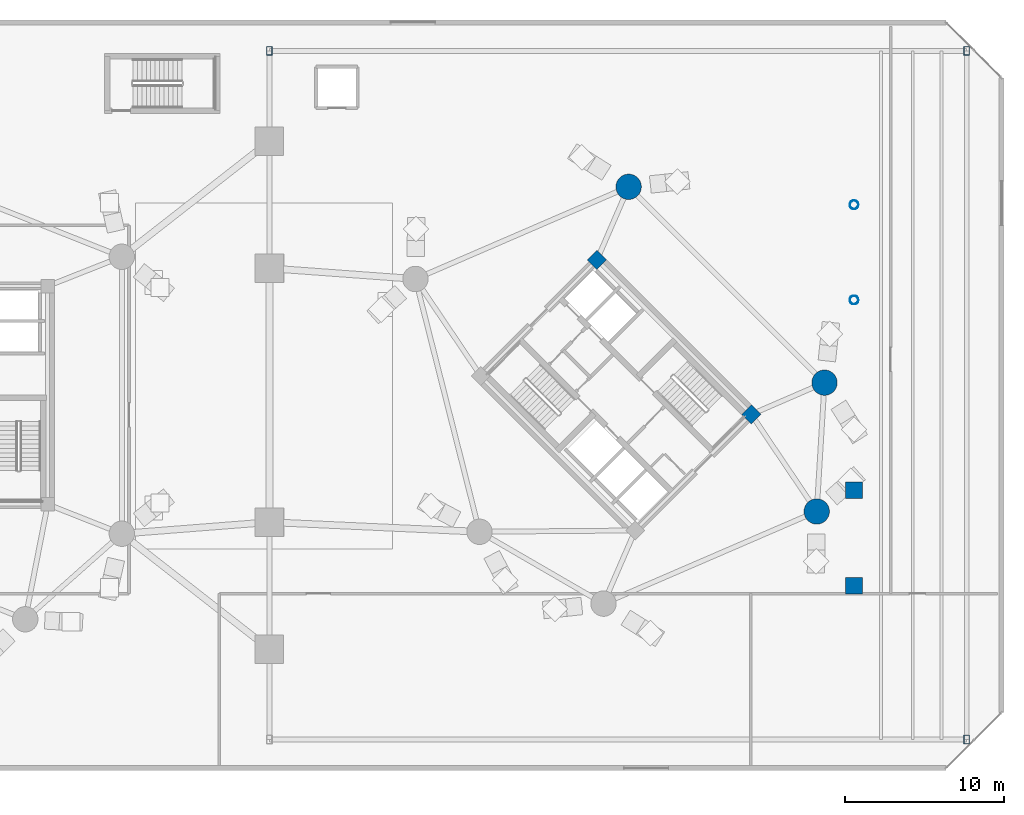
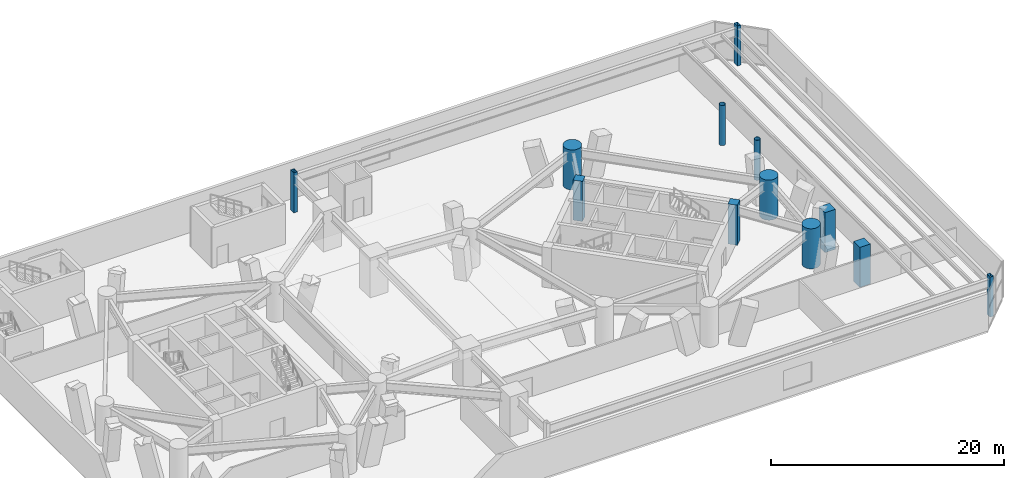
# One storey, part 2 of 20: 12 columns.
"""IFC4 building model written with IfcOpenShell, lengths in metres."""

from ifc_helpers import new_model, si_unit, direction, frame, origin, origin_2d, place, context, subcontext, project, spatial, rectangle, hollow_rectangle, circle, hollow_circle, extrude, material, material_profile, profile_set, type_object, element, save


model = new_model("IFC4")

# Units and contexts
model_context = context("Model", 3, precision=1e-05, world=origin(), true_north=direction((0.0, 1.0)))
body_context = subcontext(model_context, "Body", "Model", "MODEL_VIEW")
ifc_project = project(units=[si_unit("LENGTHUNIT", "METRE"), si_unit("AREAUNIT", "SQUARE_METRE"), si_unit("VOLUMEUNIT", "CUBIC_METRE"), si_unit("PLANEANGLEUNIT", "RADIAN"), si_unit("MASSUNIT", "GRAM", prefix="KILO")], contexts=[model_context])

# Site, building, storey
site_placement = place(None, origin())
site = spatial("IfcSite", under=ifc_project, at=site_placement, CompositionType="ELEMENT")
building_placement = place(site_placement, origin())
building = spatial("IfcBuilding", under=site, at=building_placement, Name="Cununo Teusaquillo Station Towers", CompositionType="ELEMENT")
storey_placement = place(building_placement, frame((0.0, 0.0, 9.0)))
storey = spatial("IfcBuildingStorey", under=building, at=storey_placement, Name="L02", CompositionType="ELEMENT", Elevation=9.0)

# Columns
ifc_material_1 = material(Name="Concrete C50/60", Category="concrete")
ifc_material_profile_1 = material_profile(ifc_material_1, rectangle(XDim=0.85009765625, YDim=0.85009765625, at=origin_2d()), Name="RC-RECT-850x850")
ifc_profile_set_1 = profile_set([ifc_material_profile_1], Name="Concrete C50/60")
column_type_1 = type_object("IfcColumnType", Name="COL-CORE-Z1", PredefinedType="COLUMN", material=ifc_profile_set_1)
for number, where, z_axis, x_axis, name in (
    (1, (66.024169921875, 23.29443359375, 0.0), (0.0, 0.0, 1.0), (0.707106781187, 0.707106781187, 0.0), "L02 Tower B Core Column 3"),
    (2, (56.29443359375, 33.024169921875, 0.0), (0.0, 0.0, 1.0), (0.707106781187, 0.707106781187, 0.0), "L02 Tower B Core Column 4"),
):
    element("IfcColumn", number, at=place(storey_placement, frame(where, z_axis=z_axis, x_axis=x_axis)), inside=storey, type_object=column_type_1, Name=name, PredefinedType="COLUMN", context=body_context, shape_type="SweptSolid", body=[
        extrude(rectangle(XDim=0.85009765625, YDim=0.85009765625, at=origin_2d()), origin(), (0.0, 0.0, 1.0), 4.199951171875),
    ])
ifc_material_2 = material(Name="Concrete C60/75", Category="concrete")
ifc_material_profile_2 = material_profile(ifc_material_2, circle(Radius=0.800048828125, at=origin_2d()), Name="RC-CIRC-1600")
ifc_profile_set_2 = profile_set([ifc_material_profile_2], Name="Concrete C60/75")
column_type_2 = type_object("IfcColumnType", Name="COL-MEGA-POD", PredefinedType="USERDEFINED", material=ifc_profile_set_2)
for number, where, z_axis, x_axis, name in (
    (3, (58.291015625, 37.63525390625, 0.0), (0.0, 0.0, 1.0), (1.0, 0.0, 0.0), "L02 Tower B Perimeter Column V02"),
    (4, (70.146240234375, 17.173095703125, 0.0), (0.0, 0.0, 1.0), (1.0, 0.0, 0.0), "L02 Tower B Perimeter Column V16"),
    (5, (70.63525390625, 25.291015625, 0.0), (0.0, 0.0, 1.0), (1.0, 0.0, 0.0), "L02 Tower B Perimeter Column V18"),
):
    element("IfcColumn", number, at=place(storey_placement, frame(where, z_axis=z_axis, x_axis=x_axis)), inside=storey, type_object=column_type_2, Name=name, ObjectType="MEGA COLUMN", PredefinedType="USERDEFINED", context=body_context, shape_type="SweptSolid", body=[
        extrude(circle(Radius=0.800048828125, at=origin_2d()), origin(), (0.0, 0.0, 1.0), 4.199951171875),
    ])
ifc_material_3 = material(Name="Steel ASTM A572 Grade 50", Category="steel")
ifc_material_profile_3 = material_profile(ifc_material_3, hollow_rectangle(XDim=0.35009765625, YDim=0.550048828125, WallThickness=0.02197265625, at=origin_2d()), Name="RHS 550x350x22")
ifc_profile_set_3 = profile_set([ifc_material_profile_3], Name="Steel ASTM A572 Grade 50")
column_type_3 = type_object("IfcColumnType", Name="COL-PILASTER", PredefinedType="PILASTER", material=ifc_profile_set_3)
for number, where, z_axis, x_axis, name in (
    (6, (35.64990234375, 46.199951171875, 0.0), (0.0, 0.0, 1.0), (1.0, 0.0, 0.0), "L02 Station Hall Pilaster PIL-NW"),
    (7, (79.60009765625, 46.199951171875, 0.0), (0.0, 0.0, 1.0), (1.0, 0.0, 0.0), "L02 Station Hall Pilaster PIL-NE"),
    (8, (79.60009765625, 2.800048828125, 0.0), (0.0, 0.0, 1.0), (1.0, 0.0, 0.0), "L02 Station Hall Pilaster PIL-SE"),
):
    element("IfcColumn", number, at=place(storey_placement, frame(where, z_axis=z_axis, x_axis=x_axis)), inside=storey, type_object=column_type_3, Name=name, PredefinedType="PILASTER", context=body_context, shape_type="SweptSolid", body=[
        extrude(hollow_rectangle(XDim=0.35009765625, YDim=0.550048828125, WallThickness=0.02197265625, at=origin_2d()), origin(), (0.0, 0.0, 1.0), 4.199951171875),
    ])
ifc_material_4 = material(Name="Concrete C50/60", Category="concrete")
ifc_material_profile_4 = material_profile(ifc_material_4, rectangle(XDim=1.050048828125, YDim=1.050048828125, at=origin_2d()), Name="RC-RECT-1050x1050")
ifc_profile_set_4 = profile_set([ifc_material_profile_4], Name="Concrete C50/60")
column_type_4 = type_object("IfcColumnType", Name="COL-XFER-T2", PredefinedType="COLUMN", material=ifc_profile_set_4)
for number, where, z_axis, x_axis, name in (
    (9, (72.5, 12.5, 0.0), (0.0, 0.0, 1.0), (1.0, 0.0, 0.0), "L02 East Station Gallery Column 1"),
    (10, (72.5, 18.5, 0.0), (0.0, 0.0, 1.0), (1.0, 0.0, 0.0), "L02 East Station Gallery Column 2"),
):
    element("IfcColumn", number, at=place(storey_placement, frame(where, z_axis=z_axis, x_axis=x_axis)), inside=storey, type_object=column_type_4, Name=name, PredefinedType="COLUMN", context=body_context, shape_type="SweptSolid", body=[
        extrude(rectangle(XDim=1.050048828125, YDim=1.050048828125, at=origin_2d()), origin(), (0.0, 0.0, 1.0), 4.199951171875),
    ])
ifc_material_5 = material(Name="Steel EN 10025-2 S355J2", Category="steel")
ifc_material_profile_5 = material_profile(ifc_material_5, hollow_circle(Radius=0.279541015625, WallThickness=0.02001953125, at=origin_2d()), Name="CHS 559x20")
ifc_profile_set_5 = profile_set([ifc_material_profile_5], Name="Steel EN 10025-2 S355J2")
column_type_5 = type_object("IfcColumnType", Name="COL-XFER-T3", PredefinedType="COLUMN", material=ifc_profile_set_5)
for number, where, z_axis, x_axis, name in (
    (11, (72.5, 30.5, 0.0), (0.0, 0.0, 1.0), (1.0, 0.0, 0.0), "L02 East Station Gallery Column 3"),
    (12, (72.5, 36.5, 0.0), (0.0, 0.0, 1.0), (1.0, 0.0, 0.0), "L02 East Station Gallery Column 4"),
):
    element("IfcColumn", number, at=place(storey_placement, frame(where, z_axis=z_axis, x_axis=x_axis)), inside=storey, type_object=column_type_5, Name=name, PredefinedType="COLUMN", context=body_context, shape_type="SweptSolid", body=[
        extrude(hollow_circle(Radius=0.279541015625, WallThickness=0.02001953125, at=origin_2d()), origin(), (0.0, 0.0, 1.0), 4.199951171875),
    ])

save(model, "model.ifc")
